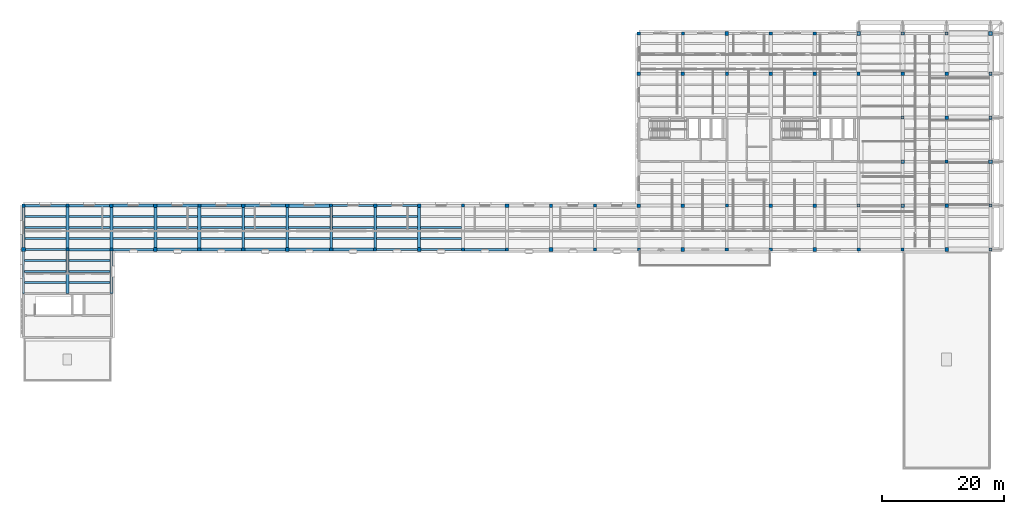
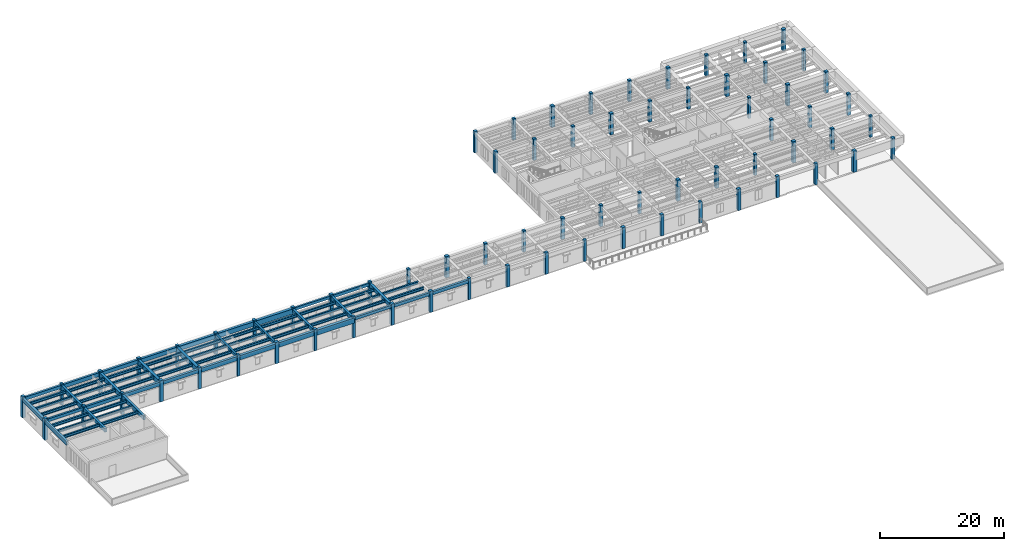
# One storey, part 1 of 22: 70 columns, 68 beams.
"""IFC4 building model written with IfcOpenShell, lengths in metres."""

from ifc_helpers import new_model, si_unit, direction, frame, origin, origin_2d, place, context, subcontext, project, spatial, rectangle, i_section, extrude, material, material_profile, profile_set, type_object, element, save


model = new_model("IFC4")

# Units and contexts
model_context = context("Model", 3, precision=1e-05, world=origin(), true_north=direction((0.0, 1.0)))
body_context = subcontext(model_context, "Body", "Model", "MODEL_VIEW")
ifc_project = project(units=[si_unit("LENGTHUNIT", "METRE"), si_unit("AREAUNIT", "SQUARE_METRE"), si_unit("VOLUMEUNIT", "CUBIC_METRE"), si_unit("PLANEANGLEUNIT", "RADIAN"), si_unit("MASSUNIT", "GRAM", prefix="KILO")], contexts=[model_context])

# Site, building, storey
site_placement = place(None, origin())
site = spatial("IfcSite", under=ifc_project, at=site_placement, CompositionType="ELEMENT")
building_placement = place(site_placement, origin())
building = spatial("IfcBuilding", under=site, at=building_placement, Name="Mithqara Police Headquarters", CompositionType="ELEMENT")
storey_placement = place(building_placement, frame((0.0, 0.0, 22.199951171875)))
storey = spatial("IfcBuildingStorey", under=building, at=storey_placement, Name="L05", CompositionType="ELEMENT", Elevation=22.199951171875)

# Columns
ifc_material_1 = material(Name="Concrete C50/60", Category="concrete")
ifc_material_profile_1 = material_profile(ifc_material_1, rectangle(XDim=0.5, YDim=0.5, at=origin_2d()), Name="RC 500x500")
ifc_profile_set_1 = profile_set([ifc_material_profile_1], Name="Concrete C50/60")
column_type_1 = type_object("IfcColumnType", Name="COLUMN RC500", PredefinedType="COLUMN", material=ifc_profile_set_1)
for number, where, z_axis, x_axis, name in (
    (1, (15.0, 85.800048828125, 0.0), (0.0, 0.0, 1.0), (1.0, 0.0, 0.0), "L05 Column 3/N"),
    (2, (22.199951171875, 78.60009765625, 0.0), (0.0, 0.0, 1.0), (1.0, 0.0, 0.0), "L05 Column 4/M"),
    (3, (36.60009765625, 85.800048828125, 0.0), (0.0, 0.0, 1.0), (1.0, 0.0, 0.0), "L05 Column 6/N"),
    (4, (43.800048828125, 78.60009765625, 0.0), (0.0, 0.0, 1.0), (1.0, 0.0, 0.0), "L05 Column 7/M"),
    (5, (58.199951171875, 85.800048828125, 0.0), (0.0, 0.0, 1.0), (1.0, 0.0, 0.0), "L05 Column 9/N"),
    (6, (65.39990234375, 78.60009765625, 0.0), (0.0, 0.0, 1.0), (1.0, 0.0, 0.0), "L05 Column 10/M"),
    (7, (79.800048828125, 85.800048828125, 0.0), (0.0, 0.0, 1.0), (1.0, 0.0, 0.0), "L05 Column 12/N"),
    (8, (87.0, 78.60009765625, 0.0), (0.0, 0.0, 1.0), (1.0, 0.0, 0.0), "L05 Column 13/M"),
    (9, (101.39990234375, 85.800048828125, 0.0), (0.0, 0.0, 1.0), (1.0, 0.0, 0.0), "L05 Column 15/N"),
    (10, (108.60009765625, 78.60009765625, 0.0), (0.0, 0.0, 1.0), (1.0, 0.0, 0.0), "L05 Column 16/M"),
    (11, (115.800048828125, 114.0, 0.0), (0.0, 0.0, 1.0), (1.0, 0.0, 0.0), "L05 Column 17/S"),
    (12, (123.0, 85.800048828125, 0.0), (0.0, 0.0, 1.0), (1.0, 0.0, 0.0), "L05 Column 18/N"),
    (13, (123.0, 107.39990234375, 0.0), (0.0, 0.0, 1.0), (1.0, 0.0, 0.0), "L05 Column 18/R"),
    (14, (130.199951171875, 78.60009765625, 0.0), (0.0, 0.0, 1.0), (1.0, 0.0, 0.0), "L05 Column 19/M"),
    (15, (137.39990234375, 114.0, 0.0), (0.0, 0.0, 1.0), (1.0, 0.0, 0.0), "L05 Column 20/S"),
    (16, (144.60009765625, 85.800048828125, 0.0), (0.0, 0.0, 1.0), (1.0, 0.0, 0.0), "L05 Column 21/N"),
    (17, (144.60009765625, 107.39990234375, 0.0), (0.0, 0.0, 1.0), (1.0, 0.0, 0.0), "L05 Column 21/R"),
    (18, (151.800048828125, 78.60009765625, 0.0), (0.0, 0.0, 1.0), (1.0, 0.0, 0.0), "L05 Column 22/M"),
    (19, (151.800048828125, 100.199951171875, 0.0), (0.0, 0.0, 1.0), (1.0, 0.0, 0.0), "L05 Column 22/Q"),
    (20, (159.0, 93.0, 0.0), (0.0, 0.0, 1.0), (1.0, 0.0, 0.0), "L05 Column 23/P"),
    (21, (159.0, 114.0, 0.0), (0.0, 0.0, 1.0), (1.0, 0.0, 0.0), "L05 Column 23/S"),
    (22, (166.199951171875, 85.800048828125, 0.0), (0.0, 0.0, 1.0), (1.0, 0.0, 0.0), "L05 Column 24/N"),
    (23, (166.199951171875, 107.39990234375, 0.0), (0.0, 0.0, 1.0), (1.0, 0.0, 0.0), "L05 Column 24/R"),
):
    element("IfcColumn", number, at=place(storey_placement, frame(where, z_axis=z_axis, x_axis=x_axis)), inside=storey, type_object=column_type_1, Name=name, PredefinedType="COLUMN", context=body_context, shape_type="SweptSolid", body=[
        extrude(rectangle(XDim=0.5, YDim=0.5, at=origin_2d()), origin(), (0.0, 0.0, 1.0), 4.199951171875),
    ])
ifc_material_profile_2 = material_profile(ifc_material_1, rectangle(XDim=0.550048828125, YDim=0.550048828125, at=origin_2d()), Name="RC 550x550")
ifc_profile_set_2 = profile_set([ifc_material_profile_2], Name="Concrete C50/60")
column_type_2 = type_object("IfcColumnType", Name="COLUMN RC550", PredefinedType="COLUMN", material=ifc_profile_set_2)
for number, where, z_axis, x_axis, name in (
    (24, (7.800048828125, 85.800048828125, 0.0), (0.0, 0.0, 1.0), (1.0, 0.0, 0.0), "L05 Column 2/N"),
    (25, (15.0, 78.60009765625, 0.0), (0.0, 0.0, 1.0), (1.0, 0.0, 0.0), "L05 Column 3/M"),
    (26, (29.39990234375, 85.800048828125, 0.0), (0.0, 0.0, 1.0), (1.0, 0.0, 0.0), "L05 Column 5/N"),
    (27, (36.60009765625, 78.60009765625, 0.0), (0.0, 0.0, 1.0), (1.0, 0.0, 0.0), "L05 Column 6/M"),
    (28, (51.0, 85.800048828125, 0.0), (0.0, 0.0, 1.0), (1.0, 0.0, 0.0), "L05 Column 8/N"),
    (29, (58.199951171875, 78.60009765625, 0.0), (0.0, 0.0, 1.0), (1.0, 0.0, 0.0), "L05 Column 9/M"),
    (30, (72.60009765625, 85.800048828125, 0.0), (0.0, 0.0, 1.0), (1.0, 0.0, 0.0), "L05 Column 11/N"),
    (31, (79.800048828125, 78.60009765625, 0.0), (0.0, 0.0, 1.0), (1.0, 0.0, 0.0), "L05 Column 12/M"),
    (32, (94.199951171875, 85.800048828125, 0.0), (0.0, 0.0, 1.0), (1.0, 0.0, 0.0), "L05 Column 14/N"),
    (33, (101.39990234375, 78.60009765625, 0.0), (0.0, 0.0, 1.0), (1.0, 0.0, 0.0), "L05 Column 15/M"),
    (34, (108.60009765625, 114.0, 0.0), (0.0, 0.0, 1.0), (1.0, 0.0, 0.0), "L05 Column 16/S"),
    (35, (115.800048828125, 85.800048828125, 0.0), (0.0, 0.0, 1.0), (1.0, 0.0, 0.0), "L05 Column 17/N"),
    (36, (115.800048828125, 107.39990234375, 0.0), (0.0, 0.0, 1.0), (1.0, 0.0, 0.0), "L05 Column 17/R"),
    (37, (123.0, 78.60009765625, 0.0), (0.0, 0.0, 1.0), (1.0, 0.0, 0.0), "L05 Column 18/M"),
    (38, (130.199951171875, 114.0, 0.0), (0.0, 0.0, 1.0), (1.0, 0.0, 0.0), "L05 Column 19/S"),
    (39, (137.39990234375, 85.800048828125, 0.0), (0.0, 0.0, 1.0), (1.0, 0.0, 0.0), "L05 Column 20/N"),
    (40, (137.39990234375, 107.39990234375, 0.0), (0.0, 0.0, 1.0), (1.0, 0.0, 0.0), "L05 Column 20/R"),
    (41, (144.60009765625, 78.60009765625, 0.0), (0.0, 0.0, 1.0), (1.0, 0.0, 0.0), "L05 Column 21/M"),
    (42, (151.800048828125, 93.0, 0.0), (0.0, 0.0, 1.0), (1.0, 0.0, 0.0), "L05 Column 22/P"),
    (43, (151.800048828125, 114.0, 0.0), (0.0, 0.0, 1.0), (1.0, 0.0, 0.0), "L05 Column 22/S"),
    (44, (159.0, 85.800048828125, 0.0), (0.0, 0.0, 1.0), (1.0, 0.0, 0.0), "L05 Column 23/N"),
    (45, (159.0, 107.39990234375, 0.0), (0.0, 0.0, 1.0), (1.0, 0.0, 0.0), "L05 Column 23/R"),
    (46, (166.199951171875, 78.60009765625, 0.0), (0.0, 0.0, 1.0), (1.0, 0.0, 0.0), "L05 Column 24/M"),
    (47, (166.199951171875, 100.199951171875, 0.0), (0.0, 0.0, 1.0), (1.0, 0.0, 0.0), "L05 Column 24/Q"),
):
    element("IfcColumn", number, at=place(storey_placement, frame(where, z_axis=z_axis, x_axis=x_axis)), inside=storey, type_object=column_type_2, Name=name, PredefinedType="COLUMN", context=body_context, shape_type="SweptSolid", body=[
        extrude(rectangle(XDim=0.550048828125, YDim=0.550048828125, at=origin_2d()), origin(), (0.0, 0.0, 1.0), 4.199951171875),
    ])
ifc_material_profile_3 = material_profile(ifc_material_1, rectangle(XDim=0.60009765625, YDim=0.60009765625, at=origin_2d()), Name="RC 600x600")
ifc_profile_set_3 = profile_set([ifc_material_profile_3], Name="Concrete C50/60")
column_type_3 = type_object("IfcColumnType", Name="COLUMN RC600", PredefinedType="COLUMN", material=ifc_profile_set_3)
for number, where, z_axis, x_axis, name in (
    (48, (7.800048828125, 78.60009765625, 0.0), (0.0, 0.0, 1.0), (1.0, 0.0, 0.0), "L05 Column 2/M"),
    (49, (22.199951171875, 85.800048828125, 0.0), (0.0, 0.0, 1.0), (1.0, 0.0, 0.0), "L05 Column 4/N"),
    (50, (29.39990234375, 78.60009765625, 0.0), (0.0, 0.0, 1.0), (1.0, 0.0, 0.0), "L05 Column 5/M"),
    (51, (43.800048828125, 85.800048828125, 0.0), (0.0, 0.0, 1.0), (1.0, 0.0, 0.0), "L05 Column 7/N"),
    (52, (51.0, 78.60009765625, 0.0), (0.0, 0.0, 1.0), (1.0, 0.0, 0.0), "L05 Column 8/M"),
    (53, (65.39990234375, 85.800048828125, 0.0), (0.0, 0.0, 1.0), (1.0, 0.0, 0.0), "L05 Column 10/N"),
    (54, (72.60009765625, 78.60009765625, 0.0), (0.0, 0.0, 1.0), (1.0, 0.0, 0.0), "L05 Column 11/M"),
    (55, (87.0, 85.800048828125, 0.0), (0.0, 0.0, 1.0), (1.0, 0.0, 0.0), "L05 Column 13/N"),
    (56, (94.199951171875, 78.60009765625, 0.0), (0.0, 0.0, 1.0), (1.0, 0.0, 0.0), "L05 Column 14/M"),
    (57, (108.60009765625, 85.800048828125, 0.0), (0.0, 0.0, 1.0), (1.0, 0.0, 0.0), "L05 Column 16/N"),
    (58, (108.60009765625, 107.39990234375, 0.0), (0.0, 0.0, 1.0), (1.0, 0.0, 0.0), "L05 Column 16/R"),
    (59, (115.800048828125, 78.60009765625, 0.0), (0.0, 0.0, 1.0), (1.0, 0.0, 0.0), "L05 Column 17/M"),
    (60, (123.0, 114.0, 0.0), (0.0, 0.0, 1.0), (1.0, 0.0, 0.0), "L05 Column 18/S"),
    (61, (130.199951171875, 85.800048828125, 0.0), (0.0, 0.0, 1.0), (1.0, 0.0, 0.0), "L05 Column 19/N"),
    (62, (130.199951171875, 107.39990234375, 0.0), (0.0, 0.0, 1.0), (1.0, 0.0, 0.0), "L05 Column 19/R"),
    (63, (137.39990234375, 78.60009765625, 0.0), (0.0, 0.0, 1.0), (1.0, 0.0, 0.0), "L05 Column 20/M"),
    (64, (144.60009765625, 114.0, 0.0), (0.0, 0.0, 1.0), (1.0, 0.0, 0.0), "L05 Column 21/S"),
    (65, (151.800048828125, 85.800048828125, 0.0), (0.0, 0.0, 1.0), (1.0, 0.0, 0.0), "L05 Column 22/N"),
    (66, (151.800048828125, 107.39990234375, 0.0), (0.0, 0.0, 1.0), (1.0, 0.0, 0.0), "L05 Column 22/R"),
    (67, (159.0, 78.60009765625, 0.0), (0.0, 0.0, 1.0), (1.0, 0.0, 0.0), "L05 Column 23/M"),
    (68, (159.0, 100.199951171875, 0.0), (0.0, 0.0, 1.0), (1.0, 0.0, 0.0), "L05 Column 23/Q"),
    (69, (166.199951171875, 93.0, 0.0), (0.0, 0.0, 1.0), (1.0, 0.0, 0.0), "L05 Column 24/P"),
    (70, (166.199951171875, 114.0, 0.0), (0.0, 0.0, 1.0), (1.0, 0.0, 0.0), "L05 Column 24/S"),
):
    element("IfcColumn", number, at=place(storey_placement, frame(where, z_axis=z_axis, x_axis=x_axis)), inside=storey, type_object=column_type_3, Name=name, PredefinedType="COLUMN", context=body_context, shape_type="SweptSolid", body=[
        extrude(rectangle(XDim=0.60009765625, YDim=0.60009765625, at=origin_2d()), origin(), (0.0, 0.0, 1.0), 4.199951171875),
    ])

# Beams
ifc_material_2 = material(Name="Steel S355JR", Category="steel")
ifc_material_profile_4 = material_profile(ifc_material_2, i_section(OverallWidth=0.300048828125, OverallDepth=0.550048828125, WebThickness=0.014892578125, FlangeThickness=0.029052734375, FilletRadius=0.027099609375, at=origin_2d()), Name="HEB 550")
ifc_profile_set_4 = profile_set([ifc_material_profile_4], Name="Steel S355JR")
beam_type_1 = type_object("IfcBeamType", Name="BEAM HEB550", PredefinedType="BEAM", material=ifc_profile_set_4)
for number, where, z_axis, x_axis, name in (
    (71, (8.0, 73.199951171875, 3.64501953125), (1.0, 0.0, 0.0), (0.0, 1.0, 0.0), "L05 Composite Steel Joist 2-3/L.1"),
    (72, (8.0, 75.0, 3.64501953125), (1.0, 0.0, 0.0), (0.0, 1.0, 0.0), "L05 Composite Steel Joist 2-3/L.2"),
    (73, (8.0, 76.800048828125, 3.64501953125), (1.0, 0.0, 0.0), (0.0, 1.0, 0.0), "L05 Composite Steel Joist 2-3/L.3"),
):
    element("IfcBeam", number, at=place(storey_placement, frame(where, z_axis=z_axis, x_axis=x_axis)), inside=storey, type_object=beam_type_1, Name=name, PredefinedType="BEAM", context=body_context, shape_type="SweptSolid", body=[
        extrude(i_section(OverallWidth=0.300048828125, OverallDepth=0.550048828125, WebThickness=0.014892578125, FlangeThickness=0.029052734375, FilletRadius=0.027099609375, at=origin_2d()), origin(), (0.0, 0.0, 1.0), 6.77490234375),
    ])
for number, where, z_axis, x_axis, name in (
    (74, (8.02490234375, 80.39990234375, 3.64501953125), (1.0, 0.0, 0.0), (0.0, 1.0, 0.0), "L05 Composite Steel Joist 2-3/M.1"),
    (75, (8.02490234375, 82.199951171875, 3.64501953125), (1.0, 0.0, 0.0), (0.0, 1.0, 0.0), "L05 Composite Steel Joist 2-3/M.2"),
    (76, (8.02490234375, 84.0, 3.64501953125), (1.0, 0.0, 0.0), (0.0, 1.0, 0.0), "L05 Composite Steel Joist 2-3/M.3"),
    (77, (15.22509765625, 73.199951171875, 3.64501953125), (1.0, 0.0, 0.0), (0.0, 1.0, 0.0), "L05 Composite Steel Joist 3-4/L.1"),
    (78, (15.22509765625, 75.0, 3.64501953125), (1.0, 0.0, 0.0), (0.0, 1.0, 0.0), "L05 Composite Steel Joist 3-4/L.2"),
    (79, (15.22509765625, 76.800048828125, 3.64501953125), (1.0, 0.0, 0.0), (0.0, 1.0, 0.0), "L05 Composite Steel Joist 3-4/L.3"),
):
    element("IfcBeam", number, at=place(storey_placement, frame(where, z_axis=z_axis, x_axis=x_axis)), inside=storey, type_object=beam_type_1, Name=name, PredefinedType="BEAM", context=body_context, shape_type="SweptSolid", body=[
        extrude(i_section(OverallWidth=0.300048828125, OverallDepth=0.550048828125, WebThickness=0.014892578125, FlangeThickness=0.029052734375, FilletRadius=0.027099609375, at=origin_2d()), origin(), (0.0, 0.0, 1.0), 6.75),
    ])
for number, where, z_axis, x_axis, name in (
    (80, (15.22509765625, 80.39990234375, 3.64501953125), (1.0, 0.0, 0.0), (0.0, 1.0, 0.0), "L05 Composite Steel Joist 3-4/M.1"),
    (81, (15.22509765625, 82.199951171875, 3.64501953125), (1.0, 0.0, 0.0), (0.0, 1.0, 0.0), "L05 Composite Steel Joist 3-4/M.2"),
    (82, (15.22509765625, 84.0, 3.64501953125), (1.0, 0.0, 0.0), (0.0, 1.0, 0.0), "L05 Composite Steel Joist 3-4/M.3"),
):
    element("IfcBeam", number, at=place(storey_placement, frame(where, z_axis=z_axis, x_axis=x_axis)), inside=storey, type_object=beam_type_1, Name=name, PredefinedType="BEAM", context=body_context, shape_type="SweptSolid", body=[
        extrude(i_section(OverallWidth=0.300048828125, OverallDepth=0.550048828125, WebThickness=0.014892578125, FlangeThickness=0.029052734375, FilletRadius=0.027099609375, at=origin_2d()), origin(), (0.0, 0.0, 1.0), 6.724853515625),
    ])
for number, where, z_axis, x_axis, name in (
    (83, (22.449951171875, 80.39990234375, 3.64501953125), (1.0, 0.0, 0.0), (0.0, 1.0, 0.0), "L05 Composite Steel Joist 4-5/M.1"),
    (84, (22.449951171875, 82.199951171875, 3.64501953125), (1.0, 0.0, 0.0), (0.0, 1.0, 0.0), "L05 Composite Steel Joist 4-5/M.2"),
    (85, (22.449951171875, 84.0, 3.64501953125), (1.0, 0.0, 0.0), (0.0, 1.0, 0.0), "L05 Composite Steel Joist 4-5/M.3"),
):
    element("IfcBeam", number, at=place(storey_placement, frame(where, z_axis=z_axis, x_axis=x_axis)), inside=storey, type_object=beam_type_1, Name=name, PredefinedType="BEAM", context=body_context, shape_type="SweptSolid", body=[
        extrude(i_section(OverallWidth=0.300048828125, OverallDepth=0.550048828125, WebThickness=0.014892578125, FlangeThickness=0.029052734375, FilletRadius=0.027099609375, at=origin_2d()), origin(), (0.0, 0.0, 1.0), 6.699951171875),
    ])
for number, where, z_axis, x_axis, name in (
    (86, (29.64990234375, 80.39990234375, 3.64501953125), (1.0, 0.0, 0.0), (0.0, 1.0, 0.0), "L05 Composite Steel Joist 5-6/M.1"),
    (87, (29.64990234375, 82.199951171875, 3.64501953125), (1.0, 0.0, 0.0), (0.0, 1.0, 0.0), "L05 Composite Steel Joist 5-6/M.2"),
    (88, (29.64990234375, 84.0, 3.64501953125), (1.0, 0.0, 0.0), (0.0, 1.0, 0.0), "L05 Composite Steel Joist 5-6/M.3"),
):
    element("IfcBeam", number, at=place(storey_placement, frame(where, z_axis=z_axis, x_axis=x_axis)), inside=storey, type_object=beam_type_1, Name=name, PredefinedType="BEAM", context=body_context, shape_type="SweptSolid", body=[
        extrude(i_section(OverallWidth=0.300048828125, OverallDepth=0.550048828125, WebThickness=0.014892578125, FlangeThickness=0.029052734375, FilletRadius=0.027099609375, at=origin_2d()), origin(), (0.0, 0.0, 1.0), 6.675048828125),
    ])
for number, where, z_axis, x_axis, name in (
    (89, (36.875, 80.39990234375, 3.64501953125), (1.0, 0.0, 0.0), (0.0, 1.0, 0.0), "L05 Composite Steel Joist 6-7/M.1"),
    (90, (36.875, 82.199951171875, 3.64501953125), (1.0, 0.0, 0.0), (0.0, 1.0, 0.0), "L05 Composite Steel Joist 6-7/M.2"),
    (91, (36.875, 84.0, 3.64501953125), (1.0, 0.0, 0.0), (0.0, 1.0, 0.0), "L05 Composite Steel Joist 6-7/M.3"),
):
    element("IfcBeam", number, at=place(storey_placement, frame(where, z_axis=z_axis, x_axis=x_axis)), inside=storey, type_object=beam_type_1, Name=name, PredefinedType="BEAM", context=body_context, shape_type="SweptSolid", body=[
        extrude(i_section(OverallWidth=0.300048828125, OverallDepth=0.550048828125, WebThickness=0.014892578125, FlangeThickness=0.029052734375, FilletRadius=0.027099609375, at=origin_2d()), origin(), (0.0, 0.0, 1.0), 6.75),
    ])
for number, where, z_axis, x_axis, name in (
    (92, (43.97509765625, 80.39990234375, 3.64501953125), (1.0, 0.0, 0.0), (0.0, 1.0, 0.0), "L05 Composite Steel Joist 7-8/M.1"),
    (93, (43.97509765625, 82.199951171875, 3.64501953125), (1.0, 0.0, 0.0), (0.0, 1.0, 0.0), "L05 Composite Steel Joist 7-8/M.2"),
    (94, (43.97509765625, 84.0, 3.64501953125), (1.0, 0.0, 0.0), (0.0, 1.0, 0.0), "L05 Composite Steel Joist 7-8/M.3"),
):
    element("IfcBeam", number, at=place(storey_placement, frame(where, z_axis=z_axis, x_axis=x_axis)), inside=storey, type_object=beam_type_1, Name=name, PredefinedType="BEAM", context=body_context, shape_type="SweptSolid", body=[
        extrude(i_section(OverallWidth=0.300048828125, OverallDepth=0.550048828125, WebThickness=0.014892578125, FlangeThickness=0.029052734375, FilletRadius=0.027099609375, at=origin_2d()), origin(), (0.0, 0.0, 1.0), 6.849853515625),
    ])
for number, where, z_axis, x_axis, name in (
    (95, (51.175048828125, 80.39990234375, 3.64501953125), (1.0, 0.0, 0.0), (0.0, 1.0, 0.0), "L05 Composite Steel Joist 8-9/M.1"),
    (96, (51.175048828125, 82.199951171875, 3.64501953125), (1.0, 0.0, 0.0), (0.0, 1.0, 0.0), "L05 Composite Steel Joist 8-9/M.2"),
    (97, (51.175048828125, 84.0, 3.64501953125), (1.0, 0.0, 0.0), (0.0, 1.0, 0.0), "L05 Composite Steel Joist 8-9/M.3"),
):
    element("IfcBeam", number, at=place(storey_placement, frame(where, z_axis=z_axis, x_axis=x_axis)), inside=storey, type_object=beam_type_1, Name=name, PredefinedType="BEAM", context=body_context, shape_type="SweptSolid", body=[
        extrude(i_section(OverallWidth=0.300048828125, OverallDepth=0.550048828125, WebThickness=0.014892578125, FlangeThickness=0.029052734375, FilletRadius=0.027099609375, at=origin_2d()), origin(), (0.0, 0.0, 1.0), 6.824951171875),
    ])
for number, where, z_axis, x_axis, name in (
    (98, (58.39990234375, 80.39990234375, 3.64501953125), (1.0, 0.0, 0.0), (0.0, 1.0, 0.0), "L05 Composite Steel Joist 9-10/M.1"),
    (99, (58.39990234375, 82.199951171875, 3.64501953125), (1.0, 0.0, 0.0), (0.0, 1.0, 0.0), "L05 Composite Steel Joist 9-10/M.2"),
    (100, (58.39990234375, 84.0, 3.64501953125), (1.0, 0.0, 0.0), (0.0, 1.0, 0.0), "L05 Composite Steel Joist 9-10/M.3"),
):
    element("IfcBeam", number, at=place(storey_placement, frame(where, z_axis=z_axis, x_axis=x_axis)), inside=storey, type_object=beam_type_1, Name=name, PredefinedType="BEAM", context=body_context, shape_type="SweptSolid", body=[
        extrude(i_section(OverallWidth=0.300048828125, OverallDepth=0.550048828125, WebThickness=0.014892578125, FlangeThickness=0.029052734375, FilletRadius=0.027099609375, at=origin_2d()), origin(), (0.0, 0.0, 1.0), 6.800048828125),
    ])
for number, where, z_axis, x_axis, name in (
    (101, (65.60009765625, 80.39990234375, 3.64501953125), (1.0, 0.0, 0.0), (0.0, 1.0, 0.0), "L05 Composite Steel Joist 10-11/M.1"),
    (102, (65.60009765625, 82.199951171875, 3.64501953125), (1.0, 0.0, 0.0), (0.0, 1.0, 0.0), "L05 Composite Steel Joist 10-11/M.2"),
    (103, (65.60009765625, 84.0, 3.64501953125), (1.0, 0.0, 0.0), (0.0, 1.0, 0.0), "L05 Composite Steel Joist 10-11/M.3"),
):
    element("IfcBeam", number, at=place(storey_placement, frame(where, z_axis=z_axis, x_axis=x_axis)), inside=storey, type_object=beam_type_1, Name=name, PredefinedType="BEAM", context=body_context, shape_type="SweptSolid", body=[
        extrude(i_section(OverallWidth=0.300048828125, OverallDepth=0.550048828125, WebThickness=0.014892578125, FlangeThickness=0.029052734375, FilletRadius=0.027099609375, at=origin_2d()), origin(), (0.0, 0.0, 1.0), 6.77490234375),
    ])
for number, where, z_axis, x_axis, name in (
    (104, (72.824951171875, 80.39990234375, 3.64501953125), (1.0, 0.0, 0.0), (0.0, 1.0, 0.0), "L05 Composite Steel Joist 11-12/M.1"),
    (105, (72.824951171875, 82.199951171875, 3.64501953125), (1.0, 0.0, 0.0), (0.0, 1.0, 0.0), "L05 Composite Steel Joist 11-12/M.2"),
):
    element("IfcBeam", number, at=place(storey_placement, frame(where, z_axis=z_axis, x_axis=x_axis)), inside=storey, type_object=beam_type_1, Name=name, PredefinedType="BEAM", context=body_context, shape_type="SweptSolid", body=[
        extrude(i_section(OverallWidth=0.300048828125, OverallDepth=0.550048828125, WebThickness=0.014892578125, FlangeThickness=0.029052734375, FilletRadius=0.027099609375, at=origin_2d()), origin(), (0.0, 0.0, 1.0), 6.75),
    ])
ifc_material_3 = material(Name="Concrete C40/50", Category="concrete")
ifc_material_profile_5 = material_profile(ifc_material_3, rectangle(XDim=0.35009765625, YDim=0.550048828125, at=origin_2d()), Name="RC 350x550")
ifc_profile_set_5 = profile_set([ifc_material_profile_5], Name="Concrete C40/50")
beam_type_2 = type_object("IfcBeamType", Name="BEAM RC350X550", PredefinedType="BEAM", material=ifc_profile_set_5)
for number, where, z_axis, x_axis, name in (
    (106, (43.800048828125, 78.60009765625, 3.64501953125), (0.0, 1.0, 0.0), (-1.0, 0.0, 0.0), "L05 Girder 7/M-N"),
    (107, (58.199951171875, 85.800048828125, 3.64501953125), (1.0, 0.0, 0.0), (0.0, 1.0, 0.0), "L05 Girder 9-10/N"),
):
    element("IfcBeam", number, at=place(storey_placement, frame(where, z_axis=z_axis, x_axis=x_axis)), inside=storey, type_object=beam_type_2, Name=name, PredefinedType="BEAM", context=body_context, shape_type="SweptSolid", body=[
        extrude(rectangle(XDim=0.35009765625, YDim=0.550048828125, at=origin_2d()), origin(), (0.0, 0.0, 1.0), 7.199951171875),
    ])
beam_1_placement = place(storey_placement, frame((65.39990234375, 78.60009765625, 3.64501953125), z_axis=(1.0, 0.0, 0.0), x_axis=(0.0, 1.0, 0.0)))
element("IfcBeam", 108, at=beam_1_placement, inside=storey, type_object=beam_type_2, Name="L05 Girder 10-11/M", PredefinedType="BEAM", context=body_context, shape_type="SweptSolid", body=[
    extrude(rectangle(XDim=0.35009765625, YDim=0.550048828125, at=origin_2d()), origin(), (0.0, 0.0, 1.0), 7.2001953125),
])
ifc_material_profile_6 = material_profile(ifc_material_3, rectangle(XDim=0.35009765625, YDim=0.60009765625, at=origin_2d()), Name="RC 350x600")
ifc_profile_set_6 = profile_set([ifc_material_profile_6], Name="Concrete C40/50")
beam_type_3 = type_object("IfcBeamType", Name="BEAM RC350X600", PredefinedType="BEAM", material=ifc_profile_set_6)
for number, where, z_axis, x_axis, name in (
    (109, (7.800048828125, 78.60009765625, 3.6201171875), (1.0, 0.0, 0.0), (0.0, 1.0, 0.0), "L05 Girder 2-3/M"),
    (110, (51.0, 78.60009765625, 3.6201171875), (0.0, 1.0, 0.0), (-1.0, 0.0, 0.0), "L05 Girder 8/M-N"),
):
    element("IfcBeam", number, at=place(storey_placement, frame(where, z_axis=z_axis, x_axis=x_axis)), inside=storey, type_object=beam_type_3, Name=name, PredefinedType="BEAM", context=body_context, shape_type="SweptSolid", body=[
        extrude(rectangle(XDim=0.35009765625, YDim=0.60009765625, at=origin_2d()), origin(), (0.0, 0.0, 1.0), 7.199951171875),
    ])
beam_2_placement = place(storey_placement, frame((65.39990234375, 85.800048828125, 3.6201171875), z_axis=(1.0, 0.0, 0.0), x_axis=(0.0, 1.0, 0.0)))
element("IfcBeam", 111, at=beam_2_placement, inside=storey, type_object=beam_type_3, Name="L05 Girder 10-11/N", PredefinedType="BEAM", context=body_context, shape_type="SweptSolid", body=[
    extrude(rectangle(XDim=0.35009765625, YDim=0.60009765625, at=origin_2d()), origin(), (0.0, 0.0, 1.0), 7.2001953125),
])
beam_3_placement = place(storey_placement, frame((72.60009765625, 78.60009765625, 3.6201171875), z_axis=(1.0, 0.0, 0.0), x_axis=(0.0, 1.0, 0.0)))
element("IfcBeam", 112, at=beam_3_placement, inside=storey, type_object=beam_type_3, Name="L05 Girder 11-12/M", PredefinedType="BEAM", context=body_context, shape_type="SweptSolid", body=[
    extrude(rectangle(XDim=0.35009765625, YDim=0.60009765625, at=origin_2d()), origin(), (0.0, 0.0, 1.0), 7.199951171875),
])
ifc_material_profile_7 = material_profile(ifc_material_3, rectangle(XDim=0.39990234375, YDim=0.64990234375, at=origin_2d()), Name="RC 400x650")
ifc_profile_set_7 = profile_set([ifc_material_profile_7], Name="Concrete C40/50")
beam_type_4 = type_object("IfcBeamType", Name="BEAM RC400X650", PredefinedType="BEAM", material=ifc_profile_set_7)
for number, where, z_axis, x_axis, name in (
    (113, (7.800048828125, 85.800048828125, 3.594970703125), (1.0, 0.0, 0.0), (0.0, 1.0, 0.0), "L05 Girder 2-3/N"),
    (114, (15.0, 78.60009765625, 3.594970703125), (1.0, 0.0, 0.0), (0.0, 1.0, 0.0), "L05 Girder 3-4/M"),
    (115, (58.199951171875, 78.60009765625, 3.594970703125), (0.0, 1.0, 0.0), (-1.0, 0.0, 0.0), "L05 Girder 9/M-N"),
    (116, (79.800048828125, 78.60009765625, 3.594970703125), (1.0, 0.0, 0.0), (0.0, 1.0, 0.0), "L05 Girder 12-13/M"),
):
    element("IfcBeam", number, at=place(storey_placement, frame(where, z_axis=z_axis, x_axis=x_axis)), inside=storey, type_object=beam_type_4, Name=name, PredefinedType="BEAM", context=body_context, shape_type="SweptSolid", body=[
        extrude(rectangle(XDim=0.39990234375, YDim=0.64990234375, at=origin_2d()), origin(), (0.0, 0.0, 1.0), 7.199951171875),
    ])
ifc_material_profile_8 = material_profile(ifc_material_3, rectangle(XDim=0.39990234375, YDim=0.75, at=origin_2d()), Name="RC 400x750")
ifc_profile_set_8 = profile_set([ifc_material_profile_8], Name="Concrete C40/50")
beam_type_5 = type_object("IfcBeamType", Name="BEAM RC400X750", PredefinedType="BEAM", material=ifc_profile_set_8)
beam_4_placement = place(storey_placement, frame((7.800048828125, 71.39990234375, 3.545166015625), z_axis=(0.0, 1.0, 0.0), x_axis=(-1.0, 0.0, 0.0)))
element("IfcBeam", 117, at=beam_4_placement, inside=storey, type_object=beam_type_5, Name="L05 Girder 2/L-M", PredefinedType="BEAM", context=body_context, shape_type="SweptSolid", body=[
    extrude(rectangle(XDim=0.39990234375, YDim=0.75, at=origin_2d()), origin(), (0.0, 0.0, 1.0), 7.2001953125),
])
for number, where, z_axis, x_axis, name in (
    (118, (15.0, 85.800048828125, 3.545166015625), (1.0, 0.0, 0.0), (0.0, 1.0, 0.0), "L05 Girder 3-4/N"),
    (119, (22.199951171875, 78.60009765625, 3.545166015625), (1.0, 0.0, 0.0), (0.0, 1.0, 0.0), "L05 Girder 4-5/M"),
    (120, (65.39990234375, 78.60009765625, 3.545166015625), (0.0, 1.0, 0.0), (-1.0, 0.0, 0.0), "L05 Girder 10/M-N"),
):
    element("IfcBeam", number, at=place(storey_placement, frame(where, z_axis=z_axis, x_axis=x_axis)), inside=storey, type_object=beam_type_5, Name=name, PredefinedType="BEAM", context=body_context, shape_type="SweptSolid", body=[
        extrude(rectangle(XDim=0.39990234375, YDim=0.75, at=origin_2d()), origin(), (0.0, 0.0, 1.0), 7.199951171875),
    ])
ifc_material_profile_9 = material_profile(ifc_material_3, rectangle(XDim=0.449951171875, YDim=0.699951171875, at=origin_2d()), Name="RC 450x700")
ifc_profile_set_9 = profile_set([ifc_material_profile_9], Name="Concrete C40/50")
beam_type_6 = type_object("IfcBeamType", Name="BEAM RC450X700", PredefinedType="BEAM", material=ifc_profile_set_9)
beam_5_placement = place(storey_placement, frame((7.800048828125, 78.60009765625, 3.570068359375), z_axis=(0.0, 1.0, 0.0), x_axis=(-1.0, 0.0, 0.0)))
element("IfcBeam", 121, at=beam_5_placement, inside=storey, type_object=beam_type_6, Name="L05 Girder 2/M-N", PredefinedType="BEAM", context=body_context, shape_type="SweptSolid", body=[
    extrude(rectangle(XDim=0.449951171875, YDim=0.699951171875, at=origin_2d()), origin(), (0.0, 0.0, 1.0), 7.199951171875),
])
beam_6_placement = place(storey_placement, frame((15.0, 71.39990234375, 3.570068359375), z_axis=(0.0, 1.0, 0.0), x_axis=(-1.0, 0.0, 0.0)))
element("IfcBeam", 122, at=beam_6_placement, inside=storey, type_object=beam_type_6, Name="L05 Girder 3/L-M", PredefinedType="BEAM", context=body_context, shape_type="SweptSolid", body=[
    extrude(rectangle(XDim=0.449951171875, YDim=0.699951171875, at=origin_2d()), origin(), (0.0, 0.0, 1.0), 7.2001953125),
])
beam_7_placement = place(storey_placement, frame((22.199951171875, 85.800048828125, 3.570068359375), z_axis=(1.0, 0.0, 0.0), x_axis=(0.0, 1.0, 0.0)))
element("IfcBeam", 123, at=beam_7_placement, inside=storey, type_object=beam_type_6, Name="L05 Girder 4-5/N", PredefinedType="BEAM", context=body_context, shape_type="SweptSolid", body=[
    extrude(rectangle(XDim=0.449951171875, YDim=0.699951171875, at=origin_2d()), origin(), (0.0, 0.0, 1.0), 7.199951171875),
])
beam_8_placement = place(storey_placement, frame((29.39990234375, 78.60009765625, 3.570068359375), z_axis=(1.0, 0.0, 0.0), x_axis=(0.0, 1.0, 0.0)))
element("IfcBeam", 124, at=beam_8_placement, inside=storey, type_object=beam_type_6, Name="L05 Girder 5-6/M", PredefinedType="BEAM", context=body_context, shape_type="SweptSolid", body=[
    extrude(rectangle(XDim=0.449951171875, YDim=0.699951171875, at=origin_2d()), origin(), (0.0, 0.0, 1.0), 7.2001953125),
])
beam_9_placement = place(storey_placement, frame((72.60009765625, 78.60009765625, 3.570068359375), z_axis=(0.0, 1.0, 0.0), x_axis=(-1.0, 0.0, 0.0)))
element("IfcBeam", 125, at=beam_9_placement, inside=storey, type_object=beam_type_6, Name="L05 Girder 11/M-N", PredefinedType="BEAM", context=body_context, shape_type="SweptSolid", body=[
    extrude(rectangle(XDim=0.449951171875, YDim=0.699951171875, at=origin_2d()), origin(), (0.0, 0.0, 1.0), 7.199951171875),
])
ifc_material_profile_10 = material_profile(ifc_material_3, rectangle(XDim=0.449951171875, YDim=0.800048828125, at=origin_2d()), Name="RC 450x800")
ifc_profile_set_10 = profile_set([ifc_material_profile_10], Name="Concrete C40/50")
beam_type_7 = type_object("IfcBeamType", Name="BEAM RC450X800", PredefinedType="BEAM", material=ifc_profile_set_10)
beam_10_placement = place(storey_placement, frame((15.0, 78.60009765625, 3.52001953125), z_axis=(0.0, 1.0, 0.0), x_axis=(-1.0, 0.0, 0.0)))
element("IfcBeam", 126, at=beam_10_placement, inside=storey, type_object=beam_type_7, Name="L05 Girder 3/M-N", PredefinedType="BEAM", context=body_context, shape_type="SweptSolid", body=[
    extrude(rectangle(XDim=0.449951171875, YDim=0.800048828125, at=origin_2d()), origin(), (0.0, 0.0, 1.0), 7.199951171875),
])
for number, where, z_axis, x_axis, name in (
    (127, (22.199951171875, 71.39990234375, 3.52001953125), (0.0, 1.0, 0.0), (-1.0, 0.0, 0.0), "L05 Girder 4/L-M"),
    (128, (29.39990234375, 85.800048828125, 3.52001953125), (1.0, 0.0, 0.0), (0.0, 1.0, 0.0), "L05 Girder 5-6/N"),
):
    element("IfcBeam", number, at=place(storey_placement, frame(where, z_axis=z_axis, x_axis=x_axis)), inside=storey, type_object=beam_type_7, Name=name, PredefinedType="BEAM", context=body_context, shape_type="SweptSolid", body=[
        extrude(rectangle(XDim=0.449951171875, YDim=0.800048828125, at=origin_2d()), origin(), (0.0, 0.0, 1.0), 7.2001953125),
    ])
beam_11_placement = place(storey_placement, frame((36.60009765625, 78.60009765625, 3.52001953125), z_axis=(1.0, 0.0, 0.0), x_axis=(0.0, 1.0, 0.0)))
element("IfcBeam", 129, at=beam_11_placement, inside=storey, type_object=beam_type_7, Name="L05 Girder 6-7/M", PredefinedType="BEAM", context=body_context, shape_type="SweptSolid", body=[
    extrude(rectangle(XDim=0.449951171875, YDim=0.800048828125, at=origin_2d()), origin(), (0.0, 0.0, 1.0), 7.199951171875),
])
ifc_material_profile_11 = material_profile(ifc_material_3, rectangle(XDim=0.5, YDim=0.85009765625, at=origin_2d()), Name="RC 500x850")
ifc_profile_set_11 = profile_set([ifc_material_profile_11], Name="Concrete C40/50")
beam_type_8 = type_object("IfcBeamType", Name="BEAM RC500X850", PredefinedType="BEAM", material=ifc_profile_set_11)
for number, where, z_axis, x_axis, name in (
    (130, (22.199951171875, 78.60009765625, 3.4951171875), (0.0, 1.0, 0.0), (-1.0, 0.0, 0.0), "L05 Girder 4/M-N"),
    (131, (36.60009765625, 85.800048828125, 3.4951171875), (1.0, 0.0, 0.0), (0.0, 1.0, 0.0), "L05 Girder 6-7/N"),
    (132, (43.800048828125, 78.60009765625, 3.4951171875), (1.0, 0.0, 0.0), (0.0, 1.0, 0.0), "L05 Girder 7-8/M"),
):
    element("IfcBeam", number, at=place(storey_placement, frame(where, z_axis=z_axis, x_axis=x_axis)), inside=storey, type_object=beam_type_8, Name=name, PredefinedType="BEAM", context=body_context, shape_type="SweptSolid", body=[
        extrude(rectangle(XDim=0.5, YDim=0.85009765625, at=origin_2d()), origin(), (0.0, 0.0, 1.0), 7.199951171875),
    ])
ifc_material_profile_12 = material_profile(ifc_material_1, rectangle(XDim=0.5, YDim=0.89990234375, at=origin_2d()), Name="RC 500x900")
ifc_profile_set_12 = profile_set([ifc_material_profile_12], Name="Concrete C50/60")
beam_type_9 = type_object("IfcBeamType", Name="BEAM RC500X900", PredefinedType="BEAM", material=ifc_profile_set_12)
for number, where, z_axis, x_axis, name in (
    (133, (29.39990234375, 78.60009765625, 3.469970703125), (0.0, 1.0, 0.0), (-1.0, 0.0, 0.0), "L05 Girder 5/M-N"),
    (134, (43.800048828125, 85.800048828125, 3.469970703125), (1.0, 0.0, 0.0), (0.0, 1.0, 0.0), "L05 Girder 7-8/N"),
    (135, (51.0, 78.60009765625, 3.469970703125), (1.0, 0.0, 0.0), (0.0, 1.0, 0.0), "L05 Girder 8-9/M"),
):
    element("IfcBeam", number, at=place(storey_placement, frame(where, z_axis=z_axis, x_axis=x_axis)), inside=storey, type_object=beam_type_9, Name=name, PredefinedType="BEAM", context=body_context, shape_type="SweptSolid", body=[
        extrude(rectangle(XDim=0.5, YDim=0.89990234375, at=origin_2d()), origin(), (0.0, 0.0, 1.0), 7.199951171875),
    ])
ifc_material_profile_13 = material_profile(ifc_material_1, rectangle(XDim=0.550048828125, YDim=1.0, at=origin_2d()), Name="RC 550x1000")
ifc_profile_set_13 = profile_set([ifc_material_profile_13], Name="Concrete C50/60")
beam_type_10 = type_object("IfcBeamType", Name="BEAM RC550X1000", PredefinedType="BEAM", material=ifc_profile_set_13)
for number, where, z_axis, x_axis, name in (
    (136, (36.60009765625, 78.60009765625, 3.420166015625), (0.0, 1.0, 0.0), (-1.0, 0.0, 0.0), "L05 Girder 6/M-N"),
    (137, (51.0, 85.800048828125, 3.420166015625), (1.0, 0.0, 0.0), (0.0, 1.0, 0.0), "L05 Girder 8-9/N"),
    (138, (58.199951171875, 78.60009765625, 3.420166015625), (1.0, 0.0, 0.0), (0.0, 1.0, 0.0), "L05 Girder 9-10/M"),
):
    element("IfcBeam", number, at=place(storey_placement, frame(where, z_axis=z_axis, x_axis=x_axis)), inside=storey, type_object=beam_type_10, Name=name, PredefinedType="BEAM", context=body_context, shape_type="SweptSolid", body=[
        extrude(rectangle(XDim=0.550048828125, YDim=1.0, at=origin_2d()), origin(), (0.0, 0.0, 1.0), 7.199951171875),
    ])

save(model, "model.ifc")
